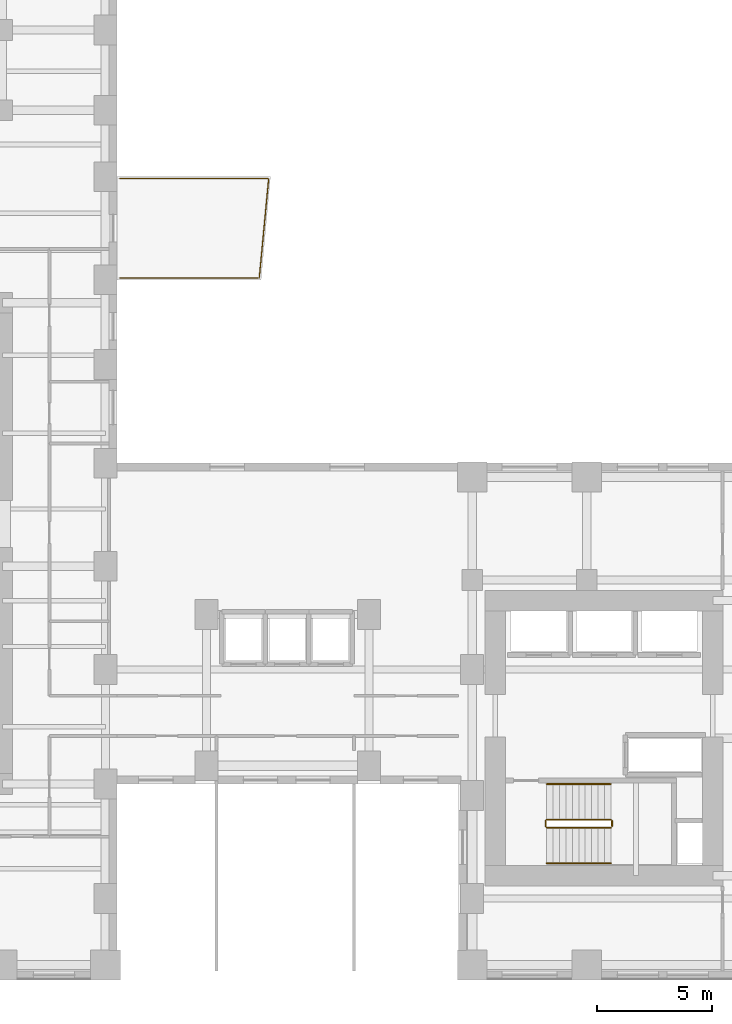
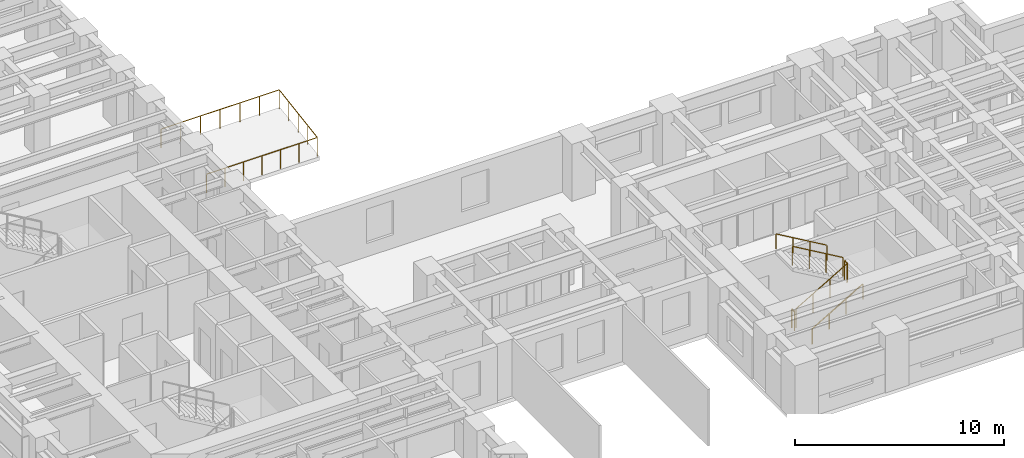
# One storey, part 11 of 11: 7 railings.
"""IFC4 building model written with IfcOpenShell, lengths in metres."""

from ifc_helpers import new_model, si_unit, direction, frame, origin, origin_2d, place, context, subcontext, project, spatial, circle, extrude, source, transform, mapped, material, layer, layer_set, type_object, element, save


model = new_model("IFC4")

# Units and contexts
model_context = context("Model", 3, precision=1e-05, world=origin(), true_north=direction((0.0, 1.0)))
body_context = subcontext(model_context, "Body", "Model", "MODEL_VIEW")
ifc_project = project(units=[si_unit("LENGTHUNIT", "METRE"), si_unit("AREAUNIT", "SQUARE_METRE"), si_unit("VOLUMEUNIT", "CUBIC_METRE"), si_unit("PLANEANGLEUNIT", "RADIAN"), si_unit("MASSUNIT", "GRAM", prefix="KILO")], contexts=[model_context])

# Site, building, storey
site_placement = place(None, origin())
site = spatial("IfcSite", under=ifc_project, at=site_placement, CompositionType="ELEMENT")
building_placement = place(site_placement, origin())
building = spatial("IfcBuilding", under=site, at=building_placement, Name="Kharzan Plaza Tower", CompositionType="ELEMENT")
storey_placement = place(building_placement, frame((0.0, 0.0, 69.300048828125)))
storey = spatial("IfcBuildingStorey", under=building, at=storey_placement, Name="L18", CompositionType="ELEMENT", Elevation=69.300048828125)

# Railings
ifc_material_1 = material(Name="Painted Galvanized Architectural Steel", Category="steel")
ifc_layer_1 = layer(ifc_material_1, 0.074951171875)
ifc_layer_set_1 = layer_set([ifc_layer_1], Name="Painted Galvanized Architectural Steel")
railing_type_1 = type_object("IfcRailingType", Name="RL-GUARD-1120", PredefinedType="BALUSTRADE", material=ifc_layer_set_1)
shared_shape_1 = source(origin(), body_context, "Body", "SweptSolid", [
    extrude(circle(Radius=0.02392578125, at=origin_2d()), frame((0.0, 0.0263671875, 1.09619140625), z_axis=(0.0, 1.0, 0.0), x_axis=(-1.0, 0.0, 0.0)), (0.0, 0.0, 1.0), 0.197021484375),
    extrude(circle(Radius=0.02099609375, at=origin_2d()), origin(), (0.0, 0.0, 1.0), 1.072021484375),
    extrude(circle(Radius=0.02099609375, at=origin_2d()), frame((0.0, 0.25, 0.0)), (0.0, 0.0, 1.0), 1.072021484375),
])
for number, where, name in (
    (1, (41.10009765625, 6.64990234375, 1.800048828125), "L18 ST-3 stair guard 2"),
    (2, (38.199951171875, 6.64990234375, 0.0), "L18 ST-3 stair guard 4"),
):
    element("IfcRailing", number, at=place(storey_placement, frame(where)), inside=storey, type_object=railing_type_1, Name=name, PredefinedType="BALUSTRADE", context=body_context, shape_type="MappedRepresentation", body=[
        mapped(shared_shape_1, transform((0.0, 0.0, 0.0), x_axis=(1.0, 0.0, 0.0), y_axis=(0.0, 1.0, 0.0), z_axis=(0.0, 0.0, 1.0))),
    ])
shared_shape_2 = source(origin(), body_context, "Body", "SweptSolid", [
    extrude(circle(Radius=0.02392578125, at=origin_2d()), frame((0.02294921875, 0.0, 1.109375), z_axis=(0.863360870873, 0.0, 0.504586966384), x_axis=(0.0, 1.0, 0.0)), (0.0, 0.0, 1.0), 3.190185546875),
    extrude(circle(Radius=0.02099609375, at=origin_2d()), origin(), (0.0, 0.0, 1.0), 1.072021484375),
    extrude(circle(Radius=0.02099609375, at=origin_2d()), frame((0.933349609375, 0.0, 0.54541015625)), (0.0, 0.0, 1.0), 1.072021484375),
    extrude(circle(Radius=0.02099609375, at=origin_2d()), frame((1.86669921875, 0.0, 1.091064453125)), (0.0, 0.0, 1.0), 1.072021484375),
    extrude(circle(Radius=0.02099609375, at=origin_2d()), frame((2.800048828125, 0.0, 1.636474609375)), (0.0, 0.0, 1.0), 1.072021484375),
])
railing_1_placement = place(storey_placement, frame((38.25, 6.60009765625, 0.16357421875)))
element("IfcRailing", 3, at=railing_1_placement, inside=storey, type_object=railing_type_1, Name="L18 ST-3 stair guard 1", PredefinedType="BALUSTRADE", context=body_context, shape_type="MappedRepresentation", body=[
    mapped(shared_shape_2, transform((0.0, 0.0, 0.0), x_axis=(1.0, 0.0, 0.0), y_axis=(0.0, 1.0, 0.0), z_axis=(0.0, 0.0, 1.0))),
])
ifc_material_2 = material(Name="Brushed Stainless Steel", Category="steel")
ifc_layer_2 = layer(ifc_material_2, 0.050048828125)
ifc_layer_set_2 = layer_set([ifc_layer_2], Name="Brushed Stainless Steel")
railing_type_2 = type_object("IfcRailingType", Name="RL-STAIR-HR920", PredefinedType="HANDRAIL", material=ifc_layer_set_2)
shared_shape_3 = source(origin(), body_context, "Body", "SweptSolid", [
    extrude(circle(Radius=0.02392578125, at=origin_2d()), frame((0.02294921875, 0.0, 0.88916015625), z_axis=(0.863360870873, 0.0, 0.504586966384), x_axis=(0.0, 1.0, 0.0)), (0.0, 0.0, 1.0), 3.190185546875),
    extrude(circle(Radius=0.02099609375, at=origin_2d()), origin(), (0.0, 0.0, 1.0), 0.851806640625),
    extrude(circle(Radius=0.02099609375, at=origin_2d()), frame((0.933349609375, 0.0, 0.54541015625)), (0.0, 0.0, 1.0), 0.851806640625),
    extrude(circle(Radius=0.02099609375, at=origin_2d()), frame((1.86669921875, 0.0, 1.091064453125)), (0.0, 0.0, 1.0), 0.851806640625),
    extrude(circle(Radius=0.02099609375, at=origin_2d()), frame((2.800048828125, 0.0, 1.636474609375)), (0.0, 0.0, 1.0), 0.851806640625),
])
railing_2_placement = place(storey_placement, frame((38.25, 5.050048828125, 0.16357421875)))
element("IfcRailing", 4, at=railing_2_placement, inside=storey, type_object=railing_type_2, Name="L18 ST-3 stair handrail 1", PredefinedType="HANDRAIL", context=body_context, shape_type="MappedRepresentation", body=[
    mapped(shared_shape_3, transform((0.0, 0.0, 0.0), x_axis=(1.0, 0.0, 0.0), y_axis=(0.0, 1.0, 0.0), z_axis=(0.0, 0.0, 1.0))),
])
shared_shape_4 = source(origin(), body_context, "Body", "SweptSolid", [
    extrude(circle(Radius=0.02392578125, at=origin_2d()), frame((0.0263671875, 0.0, 1.09619140625), z_axis=(1.0, 0.0, 0.0), x_axis=(0.0, 1.0, 0.0)), (0.0, 0.0, 1.0), 6.056884765625),
    extrude(circle(Radius=0.02392578125, at=origin_2d()), frame((6.1123046875, 0.0263671875, 1.09619140625), z_axis=(0.094090176669, 0.995563678855, 0.0), x_axis=(-0.995563678855, 0.094090176669, 0.0)), (0.0, 0.0, 1.0), 4.306396484375),
    extrude(circle(Radius=0.02392578125, at=origin_2d()), frame((6.49365234375, 4.33984375, 1.09619140625), z_axis=(-1.0, 0.0, 0.0), x_axis=(0.0, -1.0, 0.0)), (0.0, 0.0, 1.0), 6.467041015625),
    extrude(circle(Radius=0.02099609375, at=origin_2d()), origin(), (0.0, 0.0, 1.0), 1.072021484375),
    extrude(circle(Radius=0.02099609375, at=origin_2d()), frame((1.018310546875, 0.0, 0.0)), (0.0, 0.0, 1.0), 1.072021484375),
    extrude(circle(Radius=0.02099609375, at=origin_2d()), frame((2.03662109375, 0.0, 0.0)), (0.0, 0.0, 1.0), 1.072021484375),
    extrude(circle(Radius=0.02099609375, at=origin_2d()), frame((3.054931640625, 0.0, 0.0)), (0.0, 0.0, 1.0), 1.072021484375),
    extrude(circle(Radius=0.02099609375, at=origin_2d()), frame((4.0732421875, 0.0, 0.0)), (0.0, 0.0, 1.0), 1.072021484375),
    extrude(circle(Radius=0.02099609375, at=origin_2d()), frame((5.091552734375, 0.0, 0.0)), (0.0, 0.0, 1.0), 1.072021484375),
    extrude(circle(Radius=0.02099609375, at=origin_2d()), frame((6.10986328125, 0.0, 0.0)), (0.0, 0.0, 1.0), 1.072021484375),
    extrude(circle(Radius=0.02099609375, at=origin_2d()), frame((6.21240234375, 1.0849609375, 0.0)), (0.0, 0.0, 1.0), 1.072021484375),
    extrude(circle(Radius=0.02099609375, at=origin_2d()), frame((6.31494140625, 2.169921875, 0.0)), (0.0, 0.0, 1.0), 1.072021484375),
    extrude(circle(Radius=0.02099609375, at=origin_2d()), frame((6.41748046875, 3.2548828125, 0.0)), (0.0, 0.0, 1.0), 1.072021484375),
    extrude(circle(Radius=0.02099609375, at=origin_2d()), frame((6.52001953125, 4.33984375, 0.0)), (0.0, 0.0, 1.0), 1.072021484375),
    extrude(circle(Radius=0.02099609375, at=origin_2d()), frame((5.433349609375, 4.33984375, 0.0)), (0.0, 0.0, 1.0), 1.072021484375),
    extrude(circle(Radius=0.02099609375, at=origin_2d()), frame((4.3466796875, 4.33984375, 0.0)), (0.0, 0.0, 1.0), 1.072021484375),
    extrude(circle(Radius=0.02099609375, at=origin_2d()), frame((3.260009765625, 4.33984375, 0.0)), (0.0, 0.0, 1.0), 1.072021484375),
    extrude(circle(Radius=0.02099609375, at=origin_2d()), frame((2.17333984375, 4.33984375, 0.0)), (0.0, 0.0, 1.0), 1.072021484375),
    extrude(circle(Radius=0.02099609375, at=origin_2d()), frame((1.086669921875, 4.33984375, 0.0)), (0.0, 0.0, 1.0), 1.072021484375),
    extrude(circle(Radius=0.02099609375, at=origin_2d()), frame((0.0, 4.33984375, 0.0)), (0.0, 0.0, 1.0), 1.072021484375),
])
railing_3_placement = place(storey_placement, frame((19.60009765625, 30.580078125, 0.0)))
element("IfcRailing", 5, at=railing_3_placement, inside=storey, type_object=railing_type_1, Name="L18 Cantilevered Sky-Terrace Tray Balustrade", PredefinedType="BALUSTRADE", context=body_context, shape_type="MappedRepresentation", body=[
    mapped(shared_shape_4, transform((0.0, 0.0, 0.0), x_axis=(1.0, 0.0, 0.0), y_axis=(0.0, 1.0, 0.0), z_axis=(0.0, 0.0, 1.0))),
])
shared_shape_5 = source(origin(), body_context, "Body", "SweptSolid", [
    extrude(circle(Radius=0.02392578125, at=origin_2d()), frame((-0.02294921875, 0.0, 1.109375), z_axis=(-0.863393664356, 0.0, 0.504530851732), x_axis=(0.0, -1.0, 0.0)), (0.0, 0.0, 1.0), 3.190185546875),
    extrude(circle(Radius=0.02099609375, at=origin_2d()), origin(), (0.0, 0.0, 1.0), 1.072021484375),
    extrude(circle(Radius=0.02099609375, at=origin_2d()), frame((-0.933349609375, 0.0, 0.54541015625)), (0.0, 0.0, 1.0), 1.072021484375),
    extrude(circle(Radius=0.02099609375, at=origin_2d()), frame((-1.86669921875, 0.0, 1.0908203125)), (0.0, 0.0, 1.0), 1.072021484375),
    extrude(circle(Radius=0.02099609375, at=origin_2d()), frame((-2.800048828125, 0.0, 1.63623046875)), (0.0, 0.0, 1.0), 1.072021484375),
])
railing_4_placement = place(storey_placement, frame((41.050048828125, 6.949951171875, 1.963623046875)))
element("IfcRailing", 6, at=railing_4_placement, inside=storey, type_object=railing_type_1, Name="L18 ST-3 stair guard 3", PredefinedType="BALUSTRADE", context=body_context, shape_type="MappedRepresentation", body=[
    mapped(shared_shape_5, transform((0.0, 0.0, 0.0), x_axis=(1.0, 0.0, 0.0), y_axis=(0.0, 1.0, 0.0), z_axis=(0.0, 0.0, 1.0))),
])
shared_shape_6 = source(origin(), body_context, "Body", "SweptSolid", [
    extrude(circle(Radius=0.02392578125, at=origin_2d()), frame((-0.02294921875, 0.0, 0.88916015625), z_axis=(-0.863393664356, 0.0, 0.504530851732), x_axis=(0.0, -1.0, 0.0)), (0.0, 0.0, 1.0), 3.190185546875),
    extrude(circle(Radius=0.02099609375, at=origin_2d()), origin(), (0.0, 0.0, 1.0), 0.851806640625),
    extrude(circle(Radius=0.02099609375, at=origin_2d()), frame((-0.933349609375, 0.0, 0.54541015625)), (0.0, 0.0, 1.0), 0.851806640625),
    extrude(circle(Radius=0.02099609375, at=origin_2d()), frame((-1.86669921875, 0.0, 1.0908203125)), (0.0, 0.0, 1.0), 0.851806640625),
    extrude(circle(Radius=0.02099609375, at=origin_2d()), frame((-2.800048828125, 0.0, 1.63623046875)), (0.0, 0.0, 1.0), 0.851806640625),
])
railing_5_placement = place(storey_placement, frame((41.050048828125, 8.5, 1.963623046875)))
element("IfcRailing", 7, at=railing_5_placement, inside=storey, type_object=railing_type_2, Name="L18 ST-3 stair handrail 2", PredefinedType="HANDRAIL", context=body_context, shape_type="MappedRepresentation", body=[
    mapped(shared_shape_6, transform((0.0, 0.0, 0.0), x_axis=(1.0, 0.0, 0.0), y_axis=(0.0, 1.0, 0.0), z_axis=(0.0, 0.0, 1.0))),
])

save(model, "model.ifc")
